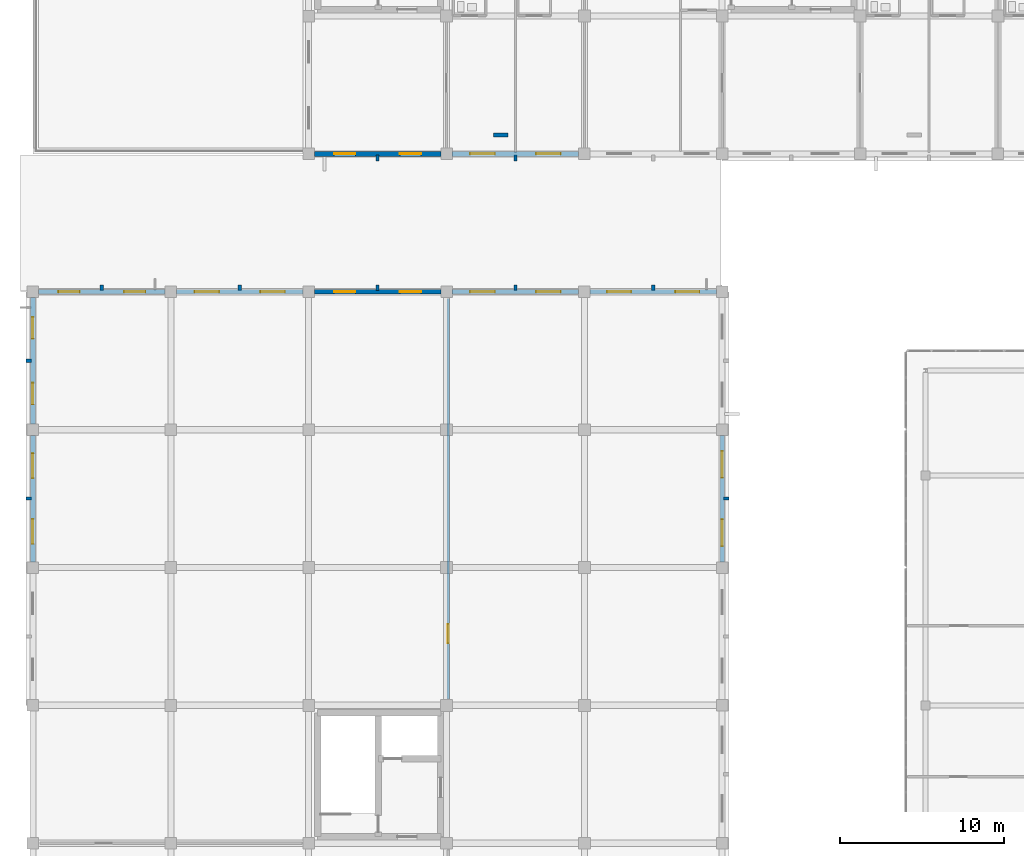
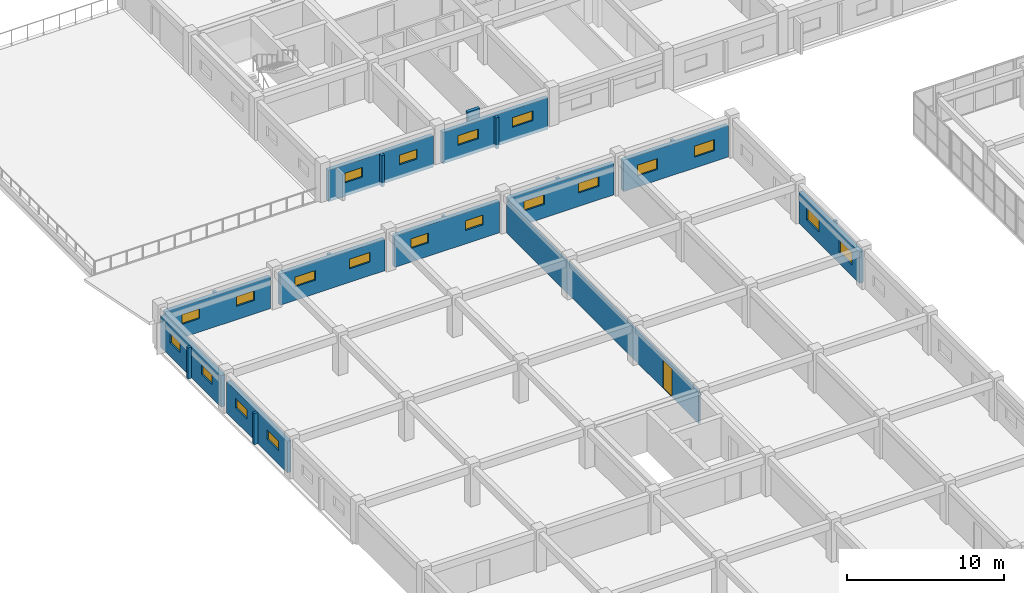
# One storey, part 121 of 148: 22 walls, 20 windows, 1 door, 21 openings.
"""IFC4 building model written with IfcOpenShell, lengths in metres."""

from ifc_helpers import new_model, si_unit, direction, frame, frame_2d, origin, place, context, subcontext, project, spatial, rectangle, extrude, material, layer, layer_set, type_object, element, fill, save


model = new_model("IFC4")

# Units and contexts
model_context = context("Model", 3, precision=1e-05, world=origin(), true_north=direction((0.0, 1.0)))
body_context = subcontext(model_context, "Body", "Model", "MODEL_VIEW")
ifc_project = project(units=[si_unit("LENGTHUNIT", "METRE"), si_unit("AREAUNIT", "SQUARE_METRE"), si_unit("VOLUMEUNIT", "CUBIC_METRE"), si_unit("PLANEANGLEUNIT", "RADIAN"), si_unit("MASSUNIT", "GRAM", prefix="KILO")], contexts=[model_context])

# Site, building, storey
site_placement = place(None, origin())
site = spatial("IfcSite", under=ifc_project, at=site_placement, CompositionType="ELEMENT")
building_placement = place(site_placement, origin())
building = spatial("IfcBuilding", under=site, at=building_placement, Name="Trelvath General Hospital", CompositionType="ELEMENT")
storey_placement = place(building_placement, frame((0.0, 0.0, 12.89990234375)))
storey = spatial("IfcBuildingStorey", under=building, at=storey_placement, Name="L03", CompositionType="ELEMENT", Elevation=12.89990234375)

# Walls
ifc_material_1 = material(Name="Precast concrete C40/50", Category="concrete")
ifc_layer_1 = layer(ifc_material_1, 0.199951171875)
ifc_layer_set_1 = layer_set([ifc_layer_1], Name="Precast concrete C40/50")
wall_type_1 = type_object("IfcWallType", Name="BriseSoleilRib 200", PredefinedType="ELEMENTEDWALL", material=ifc_layer_set_1)
for number, where, z_axis, x_axis, name in (
    (1, (-0.074951171875, 71.39990234375, 0.0), (0.0, 0.0, 1.0), (-1.0, 0.0, 0.0), "Precast Concrete Brise-Soleil Rib Fin L03-229"),
    (2, (4.199951171875, 84.074951171875, 0.0), (0.0, 0.0, 1.0), (0.0, 1.0, 0.0), "Precast Concrete Brise-Soleil Rib Fin L03-230"),
    (3, (-0.074951171875, 79.800048828125, 0.0), (0.0, 0.0, 1.0), (-1.0, 0.0, 0.0), "Precast Concrete Brise-Soleil Rib Fin L03-231"),
    (4, (12.60009765625, 84.074951171875, 0.0), (0.0, 0.0, 1.0), (0.0, 1.0, 0.0), "Precast Concrete Brise-Soleil Rib Fin L03-233"),
    (5, (21.0, 84.074951171875, 0.0), (0.0, 0.0, 1.0), (0.0, 1.0, 0.0), "Precast Concrete Brise-Soleil Rib Fin L03-237"),
):
    element("IfcWall", number, at=place(storey_placement, frame(where, z_axis=z_axis, x_axis=x_axis)), inside=storey, type_object=wall_type_1, Name=name, PredefinedType="ELEMENTEDWALL", context=body_context, shape_type="SweptSolid", body=[
        extrude(rectangle(XDim=0.340087890625, YDim=0.199951171875, at=frame_2d((0.169921875, 0.0))), origin(), (0.0, 0.0, 1.0), 2.420166015625),
    ])
wall_1_placement = place(storey_placement, frame((21.0, 92.324951171875, 0.0), z_axis=(0.0, 0.0, 1.0), x_axis=(0.0, -1.0, 0.0)))
element("IfcWall", 6, at=wall_1_placement, inside=storey, type_object=wall_type_1, Name="Precast Concrete Brise-Soleil Rib Fin L03-238", PredefinedType="ELEMENTEDWALL", context=body_context, shape_type="SweptSolid", body=[
    extrude(rectangle(XDim=0.33984375, YDim=0.199951171875, at=frame_2d((0.169921875, 0.0))), origin(), (0.0, 0.0, 1.0), 2.420166015625),
])
wall_2_placement = place(storey_placement, frame((29.39990234375, 84.074951171875, 0.0), z_axis=(0.0, 0.0, 1.0), x_axis=(0.0, 1.0, 0.0)))
element("IfcWall", 7, at=wall_2_placement, inside=storey, type_object=wall_type_1, Name="Precast Concrete Brise-Soleil Rib Fin L03-243", PredefinedType="ELEMENTEDWALL", context=body_context, shape_type="SweptSolid", body=[
    extrude(rectangle(XDim=0.340087890625, YDim=0.199951171875, at=frame_2d((0.169921875, 0.0))), origin(), (0.0, 0.0, 1.0), 2.420166015625),
])
wall_3_placement = place(storey_placement, frame((29.39990234375, 92.324951171875, 0.0), z_axis=(0.0, 0.0, 1.0), x_axis=(0.0, -1.0, 0.0)))
element("IfcWall", 8, at=wall_3_placement, inside=storey, type_object=wall_type_1, Name="Precast Concrete Brise-Soleil Rib Fin L03-244", PredefinedType="ELEMENTEDWALL", context=body_context, shape_type="SweptSolid", body=[
    extrude(rectangle(XDim=0.33984375, YDim=0.199951171875, at=frame_2d((0.169921875, 0.0))), origin(), (0.0, 0.0, 1.0), 2.420166015625),
])
for number, where, z_axis, x_axis, name in (
    (9, (42.074951171875, 71.39990234375, 0.0), (0.0, 0.0, 1.0), (1.0, 0.0, 0.0), "Precast Concrete Brise-Soleil Rib Fin L03-253"),
    (10, (37.800048828125, 84.074951171875, 0.0), (0.0, 0.0, 1.0), (0.0, 1.0, 0.0), "Precast Concrete Brise-Soleil Rib Fin L03-254"),
):
    element("IfcWall", number, at=place(storey_placement, frame(where, z_axis=z_axis, x_axis=x_axis)), inside=storey, type_object=wall_type_1, Name=name, PredefinedType="ELEMENTEDWALL", context=body_context, shape_type="SweptSolid", body=[
        extrude(rectangle(XDim=0.340087890625, YDim=0.199951171875, at=frame_2d((0.169921875, 0.0))), origin(), (0.0, 0.0, 1.0), 2.420166015625),
    ])

# Wall, opening, door
ifc_material_2 = material(Name="Gypsum acoustic steel-stud partition", Category="steel")
ifc_layer_2 = layer(ifc_material_2, 0.14990234375)
ifc_layer_set_2 = layer_set([ifc_layer_2], Name="Gypsum acoustic steel-stud partition")
wall_type_2 = type_object("IfcWallType", Name="ClinicalPartition 150", PredefinedType="PARTITIONING", material=ifc_layer_set_2)
wall_4_placement = place(storey_placement, frame((25.300048828125, 59.199951171875, 0.0), z_axis=(0.0, 0.0, 1.0), x_axis=(0.0, 1.0, 0.0)))
wall_4 = element("IfcWall", 11, at=wall_4_placement, inside=storey, type_object=wall_type_2, Name="Cleanroom Partition L03-1400", PredefinedType="PARTITIONING", context=body_context, shape_type="SweptSolid", body=[
    extrude(rectangle(XDim=24.400146484375, YDim=0.14990234375, at=frame_2d((12.2001953125, 0.0))), origin(), (0.0, 0.0, 1.0), 2.420166015625),
])
opening_1_placement = place(wall_4_placement, frame((3.39990234375, 0.0, 0.0)))
opening_1 = element("IfcOpeningElement", 12, at=opening_1_placement, cuts=wall_4, Name="Opening D-3-0985", PredefinedType="OPENING", context=body_context, shape_type="SweptSolid", body=[
    extrude(rectangle(XDim=1.14990234375, YDim=2.199951171875, at=frame_2d((0.574951171875, 1.10009765625))), frame((0.0, 0.0849609375, 0.0), z_axis=(0.0, -1.0, 0.0), x_axis=(1.0, 0.0, 0.0)), (0.0, 0.0, 1.0), 0.169921875),
])
ifc_material_3 = material(Name="Phenolic cleanroom door")
door_type = type_object("IfcDoorType", Name="Door Pharmacy 1150x2200", OperationType="NOTDEFINED", PredefinedType="DOOR", material=ifc_material_3)
door_placement = place(opening_1_placement, origin())
door = element("IfcDoor", 13, at=door_placement, inside=storey, type_object=door_type, Name="Cleanroom Door L03-985", OperationType="SINGLE_SWING_LEFT", OverallHeight=2.199951171875, OverallWidth=1.14990234375, PredefinedType="DOOR", context=body_context, shape_type="SweptSolid", body=[
    extrude(rectangle(XDim=1.14990234375, YDim=2.199951171875, at=frame_2d((0.574951171875, 1.10009765625))), frame((0.0, 0.02490234375, 0.0), z_axis=(0.0, -1.0, 0.0), x_axis=(1.0, 0.0, 0.0)), (0.0, 0.0, 1.0), 0.050048828125),
])
fill(opening_1, door)

# Wall, openings, windows
ifc_material_4 = material(Name="Concrete C35/45", Category="concrete")
ifc_layer_3 = layer(ifc_material_4, 0.2900390625)
ifc_layer_set_3 = layer_set([ifc_layer_3], Name="Concrete C35/45")
wall_type_3 = type_object("IfcWallType", Name="ExtBushHammeredWall 290", PredefinedType="SOLIDWALL", material=ifc_layer_set_3)
wall_5_placement = place(storey_placement, frame((0.0, 67.544921875, 0.0), z_axis=(0.0, 0.0, 1.0), x_axis=(0.0, 1.0, 0.0)))
wall_5 = element("IfcWall", 14, at=wall_5_placement, inside=storey, type_object=wall_type_3, Name="Exterior Concrete Wall L03-331", PredefinedType="SOLIDWALL", context=body_context, shape_type="SweptSolid", body=[
    extrude(rectangle(XDim=7.7099609375, YDim=0.2900390625, at=frame_2d((3.85498046875, 0.0))), origin(), (0.0, 0.0, 1.0), 2.440185546875),
])
opening_2_placement = place(wall_5_placement, frame((1.100341796875, 0.0, 1.050048828125)))
opening_2 = element("IfcOpeningElement", 15, at=opening_2_placement, cuts=wall_5, Name="Opening WN-3-535", PredefinedType="OPENING", context=body_context, shape_type="SweptSolid", body=[
    extrude(rectangle(XDim=1.5, YDim=0.75, at=frame_2d((0.75, 0.375))), frame((0.0, 0.155029296875, 0.0), z_axis=(0.0, -1.0, 0.0), x_axis=(1.0, 0.0, 0.0)), (0.0, 0.0, 1.0), 0.31005859375),
])
opening_3_placement = place(wall_5_placement, frame((5.109619140625, 0.0, 1.050048828125)))
opening_3 = element("IfcOpeningElement", 16, at=opening_3_placement, cuts=wall_5, Name="Opening WN-3-536", PredefinedType="OPENING", context=body_context, shape_type="SweptSolid", body=[
    extrude(rectangle(XDim=1.5, YDim=0.75, at=frame_2d((0.75, 0.375))), frame((0.0, 0.155029296875, 0.0), z_axis=(0.0, -1.0, 0.0), x_axis=(1.0, 0.0, 0.0)), (0.0, 0.0, 1.0), 0.31005859375),
])
ifc_material_5 = material(Name="Low-E laminated glass", Category="glass")
window_type_1 = type_object("IfcWindowType", Name="Window InterstitialVent 1500x750", PartitioningType="DOUBLE_PANEL_HORIZONTAL", PredefinedType="WINDOW", material=ifc_material_5)
window_1_placement = place(opening_2_placement, origin())
window_1 = element("IfcWindow", 17, at=window_1_placement, inside=storey, type_object=window_type_1, Name="Solar Reveal Window L03-535", OverallHeight=0.75, OverallWidth=1.5, PartitioningType="SINGLE_PANEL", PredefinedType="WINDOW", context=body_context, shape_type="SweptSolid", body=[
    extrude(rectangle(XDim=1.5, YDim=0.75, at=frame_2d((0.75, 0.375))), frame((0.0, 0.030029296875, 0.0), z_axis=(0.0, -1.0, 0.0), x_axis=(1.0, 0.0, 0.0)), (0.0, 0.0, 1.0), 0.06005859375),
])
fill(opening_2, window_1)
window_2_placement = place(opening_3_placement, origin())
window_2 = element("IfcWindow", 18, at=window_2_placement, inside=storey, type_object=window_type_1, Name="Solar Reveal Window L03-536", OverallHeight=0.75, OverallWidth=1.5, PartitioningType="SINGLE_PANEL", PredefinedType="WINDOW", context=body_context, shape_type="SweptSolid", body=[
    extrude(rectangle(XDim=1.5, YDim=0.75, at=frame_2d((0.75, 0.375))), frame((0.0, 0.030029296875, 0.0), z_axis=(0.0, -1.0, 0.0), x_axis=(1.0, 0.0, 0.0)), (0.0, 0.0, 1.0), 0.06005859375),
])
fill(opening_3, window_2)

wall_6_placement = place(storey_placement, frame((0.344970703125, 84.0, 0.0), z_axis=(0.0, 0.0, 1.0), x_axis=(1.0, 0.0, 0.0)))
wall_6 = element("IfcWall", 19, at=wall_6_placement, inside=storey, type_object=wall_type_3, Name="Exterior Concrete Wall L03-332", PredefinedType="SOLIDWALL", context=body_context, shape_type="SweptSolid", body=[
    extrude(rectangle(XDim=7.7099609375, YDim=0.2900390625, at=frame_2d((3.85498046875, 0.0))), origin(), (0.0, 0.0, 1.0), 2.440185546875),
])
opening_4_placement = place(wall_6_placement, frame((1.200439453125, 0.0, 1.050048828125)))
opening_4 = element("IfcOpeningElement", 20, at=opening_4_placement, cuts=wall_6, Name="Opening WN-3-537", PredefinedType="OPENING", context=body_context, shape_type="SweptSolid", body=[
    extrude(rectangle(XDim=1.300048828125, YDim=0.75, at=frame_2d((0.64990234375, 0.375))), frame((0.0, 0.155029296875, 0.0), z_axis=(0.0, -1.0, 0.0), x_axis=(1.0, 0.0, 0.0)), (0.0, 0.0, 1.0), 0.31005859375),
])
opening_5_placement = place(wall_6_placement, frame((5.209716796875, 0.0, 1.050048828125)))
opening_5 = element("IfcOpeningElement", 21, at=opening_5_placement, cuts=wall_6, Name="Opening WN-3-538", PredefinedType="OPENING", context=body_context, shape_type="SweptSolid", body=[
    extrude(rectangle(XDim=1.300048828125, YDim=0.75, at=frame_2d((0.64990234375, 0.375))), frame((0.0, 0.155029296875, 0.0), z_axis=(0.0, -1.0, 0.0), x_axis=(1.0, 0.0, 0.0)), (0.0, 0.0, 1.0), 0.31005859375),
])
ifc_material_6 = material(Name="Low-E laminated glass", Category="glass")
window_type_2 = type_object("IfcWindowType", Name="Window InterstitialVent 1300x750", PartitioningType="DOUBLE_PANEL_HORIZONTAL", PredefinedType="WINDOW", material=ifc_material_6)
window_3_placement = place(opening_4_placement, origin())
window_3 = element("IfcWindow", 22, at=window_3_placement, inside=storey, type_object=window_type_2, Name="Solar Reveal Window L03-537", OverallHeight=0.75, OverallWidth=1.300048828125, PartitioningType="SINGLE_PANEL", PredefinedType="WINDOW", context=body_context, shape_type="SweptSolid", body=[
    extrude(rectangle(XDim=1.300048828125, YDim=0.75, at=frame_2d((0.64990234375, 0.375))), frame((0.0, 0.030029296875, 0.0), z_axis=(0.0, -1.0, 0.0), x_axis=(1.0, 0.0, 0.0)), (0.0, 0.0, 1.0), 0.06005859375),
])
fill(opening_4, window_3)
window_4_placement = place(opening_5_placement, origin())
window_4 = element("IfcWindow", 23, at=window_4_placement, inside=storey, type_object=window_type_2, Name="Solar Reveal Window L03-538", OverallHeight=0.75, OverallWidth=1.300048828125, PartitioningType="SINGLE_PANEL", PredefinedType="WINDOW", context=body_context, shape_type="SweptSolid", body=[
    extrude(rectangle(XDim=1.300048828125, YDim=0.75, at=frame_2d((0.64990234375, 0.375))), frame((0.0, 0.030029296875, 0.0), z_axis=(0.0, -1.0, 0.0), x_axis=(1.0, 0.0, 0.0)), (0.0, 0.0, 1.0), 0.06005859375),
])
fill(opening_5, window_4)

wall_7_placement = place(storey_placement, frame((0.0, 75.945068359375, 0.0), z_axis=(0.0, 0.0, 1.0), x_axis=(0.0, 1.0, 0.0)))
wall_7 = element("IfcWall", 24, at=wall_7_placement, inside=storey, type_object=wall_type_3, Name="Exterior Concrete Wall L03-333", PredefinedType="SOLIDWALL", context=body_context, shape_type="SweptSolid", body=[
    extrude(rectangle(XDim=7.7099609375, YDim=0.2900390625, at=frame_2d((3.85498046875, 0.0))), origin(), (0.0, 0.0, 1.0), 2.440185546875),
])
opening_6_placement = place(wall_7_placement, frame((1.200439453125, 0.0, 1.050048828125)))
opening_6 = element("IfcOpeningElement", 25, at=opening_6_placement, cuts=wall_7, Name="Opening WN-3-539", PredefinedType="OPENING", context=body_context, shape_type="SweptSolid", body=[
    extrude(rectangle(XDim=1.300048828125, YDim=0.75, at=frame_2d((0.64990234375, 0.375))), frame((0.0, 0.155029296875, 0.0), z_axis=(0.0, -1.0, 0.0), x_axis=(1.0, 0.0, 0.0)), (0.0, 0.0, 1.0), 0.31005859375),
])
opening_7_placement = place(wall_7_placement, frame((5.209716796875, 0.0, 1.050048828125)))
opening_7 = element("IfcOpeningElement", 26, at=opening_7_placement, cuts=wall_7, Name="Opening WN-3-540", PredefinedType="OPENING", context=body_context, shape_type="SweptSolid", body=[
    extrude(rectangle(XDim=1.300048828125, YDim=0.75, at=frame_2d((0.64990234375, 0.375))), frame((0.0, 0.155029296875, 0.0), z_axis=(0.0, -1.0, 0.0), x_axis=(1.0, 0.0, 0.0)), (0.0, 0.0, 1.0), 0.31005859375),
])
window_5_placement = place(opening_6_placement, origin())
window_5 = element("IfcWindow", 27, at=window_5_placement, inside=storey, type_object=window_type_2, Name="Solar Reveal Window L03-539", OverallHeight=0.75, OverallWidth=1.300048828125, PartitioningType="SINGLE_PANEL", PredefinedType="WINDOW", context=body_context, shape_type="SweptSolid", body=[
    extrude(rectangle(XDim=1.300048828125, YDim=0.75, at=frame_2d((0.64990234375, 0.375))), frame((0.0, 0.030029296875, 0.0), z_axis=(0.0, -1.0, 0.0), x_axis=(1.0, 0.0, 0.0)), (0.0, 0.0, 1.0), 0.06005859375),
])
fill(opening_6, window_5)
window_6_placement = place(opening_7_placement, origin())
window_6 = element("IfcWindow", 28, at=window_6_placement, inside=storey, type_object=window_type_2, Name="Solar Reveal Window L03-540", OverallHeight=0.75, OverallWidth=1.300048828125, PartitioningType="SINGLE_PANEL", PredefinedType="WINDOW", context=body_context, shape_type="SweptSolid", body=[
    extrude(rectangle(XDim=1.300048828125, YDim=0.75, at=frame_2d((0.64990234375, 0.375))), frame((0.0, 0.030029296875, 0.0), z_axis=(0.0, -1.0, 0.0), x_axis=(1.0, 0.0, 0.0)), (0.0, 0.0, 1.0), 0.06005859375),
])
fill(opening_7, window_6)

wall_8_placement = place(storey_placement, frame((8.7451171875, 84.0, 0.0), z_axis=(0.0, 0.0, 1.0), x_axis=(1.0, 0.0, 0.0)))
wall_8 = element("IfcWall", 29, at=wall_8_placement, inside=storey, type_object=wall_type_3, Name="Exterior Concrete Wall L03-335", PredefinedType="SOLIDWALL", context=body_context, shape_type="SweptSolid", body=[
    extrude(rectangle(XDim=7.7099609375, YDim=0.2900390625, at=frame_2d((3.85498046875, 0.0))), origin(), (0.0, 0.0, 1.0), 2.440185546875),
])
opening_8_placement = place(wall_8_placement, frame((1.100341796875, 0.0, 1.050048828125)))
opening_8 = element("IfcOpeningElement", 30, at=opening_8_placement, cuts=wall_8, Name="Opening WN-3-543", PredefinedType="OPENING", context=body_context, shape_type="SweptSolid", body=[
    extrude(rectangle(XDim=1.5, YDim=0.75, at=frame_2d((0.75, 0.375))), frame((0.0, 0.155029296875, 0.0), z_axis=(0.0, -1.0, 0.0), x_axis=(1.0, 0.0, 0.0)), (0.0, 0.0, 1.0), 0.31005859375),
])
opening_9_placement = place(wall_8_placement, frame((5.109619140625, 0.0, 1.050048828125)))
opening_9 = element("IfcOpeningElement", 31, at=opening_9_placement, cuts=wall_8, Name="Opening WN-3-544", PredefinedType="OPENING", context=body_context, shape_type="SweptSolid", body=[
    extrude(rectangle(XDim=1.5, YDim=0.75, at=frame_2d((0.75, 0.375))), frame((0.0, 0.155029296875, 0.0), z_axis=(0.0, -1.0, 0.0), x_axis=(1.0, 0.0, 0.0)), (0.0, 0.0, 1.0), 0.31005859375),
])
window_7_placement = place(opening_8_placement, origin())
window_7 = element("IfcWindow", 32, at=window_7_placement, inside=storey, type_object=window_type_1, Name="Solar Reveal Window L03-543", OverallHeight=0.75, OverallWidth=1.5, PartitioningType="SINGLE_PANEL", PredefinedType="WINDOW", context=body_context, shape_type="SweptSolid", body=[
    extrude(rectangle(XDim=1.5, YDim=0.75, at=frame_2d((0.75, 0.375))), frame((0.0, 0.030029296875, 0.0), z_axis=(0.0, -1.0, 0.0), x_axis=(1.0, 0.0, 0.0)), (0.0, 0.0, 1.0), 0.06005859375),
])
fill(opening_8, window_7)
window_8_placement = place(opening_9_placement, origin())
window_8 = element("IfcWindow", 33, at=window_8_placement, inside=storey, type_object=window_type_1, Name="Solar Reveal Window L03-544", OverallHeight=0.75, OverallWidth=1.5, PartitioningType="SINGLE_PANEL", PredefinedType="WINDOW", context=body_context, shape_type="SweptSolid", body=[
    extrude(rectangle(XDim=1.5, YDim=0.75, at=frame_2d((0.75, 0.375))), frame((0.0, 0.030029296875, 0.0), z_axis=(0.0, -1.0, 0.0), x_axis=(1.0, 0.0, 0.0)), (0.0, 0.0, 1.0), 0.06005859375),
])
fill(opening_9, window_8)

wall_9_placement = place(storey_placement, frame((17.14501953125, 84.0, 0.0), z_axis=(0.0, 0.0, 1.0), x_axis=(1.0, 0.0, 0.0)))
wall_9 = element("IfcWall", 34, at=wall_9_placement, inside=storey, type_object=wall_type_3, Name="Exterior Concrete Wall L03-342", PredefinedType="SOLIDWALL", context=body_context, shape_type="SweptSolid", body=[
    extrude(rectangle(XDim=7.7099609375, YDim=0.2900390625, at=frame_2d((3.85498046875, 0.0))), origin(), (0.0, 0.0, 1.0), 2.440185546875),
])
opening_10_placement = place(wall_9_placement, frame((1.200439453125, 0.0, 1.050048828125)))
opening_10 = element("IfcOpeningElement", 35, at=opening_10_placement, cuts=wall_9, Name="Opening WN-3-555", PredefinedType="OPENING", context=body_context, shape_type="SweptSolid", body=[
    extrude(rectangle(XDim=1.300048828125, YDim=0.75, at=frame_2d((0.64990234375, 0.375))), frame((0.0, 0.155029296875, 0.0), z_axis=(0.0, -1.0, 0.0), x_axis=(1.0, 0.0, 0.0)), (0.0, 0.0, 1.0), 0.31005859375),
])
opening_11_placement = place(wall_9_placement, frame((5.209716796875, 0.0, 1.050048828125)))
opening_11 = element("IfcOpeningElement", 36, at=opening_11_placement, cuts=wall_9, Name="Opening WN-3-556", PredefinedType="OPENING", context=body_context, shape_type="SweptSolid", body=[
    extrude(rectangle(XDim=1.300048828125, YDim=0.75, at=frame_2d((0.64990234375, 0.375))), frame((0.0, 0.155029296875, 0.0), z_axis=(0.0, -1.0, 0.0), x_axis=(1.0, 0.0, 0.0)), (0.0, 0.0, 1.0), 0.31005859375),
])
window_9_placement = place(opening_10_placement, origin())
window_9 = element("IfcWindow", 37, at=window_9_placement, inside=storey, type_object=window_type_2, Name="Solar Reveal Window L03-555", OverallHeight=0.75, OverallWidth=1.300048828125, PartitioningType="SINGLE_PANEL", PredefinedType="WINDOW", context=body_context, shape_type="SweptSolid", body=[
    extrude(rectangle(XDim=1.300048828125, YDim=0.75, at=frame_2d((0.64990234375, 0.375))), frame((0.0, 0.030029296875, 0.0), z_axis=(0.0, -1.0, 0.0), x_axis=(1.0, 0.0, 0.0)), (0.0, 0.0, 1.0), 0.06005859375),
])
fill(opening_10, window_9)
window_10_placement = place(opening_11_placement, origin())
window_10 = element("IfcWindow", 38, at=window_10_placement, inside=storey, type_object=window_type_2, Name="Solar Reveal Window L03-556", OverallHeight=0.75, OverallWidth=1.300048828125, PartitioningType="SINGLE_PANEL", PredefinedType="WINDOW", context=body_context, shape_type="SweptSolid", body=[
    extrude(rectangle(XDim=1.300048828125, YDim=0.75, at=frame_2d((0.64990234375, 0.375))), frame((0.0, 0.030029296875, 0.0), z_axis=(0.0, -1.0, 0.0), x_axis=(1.0, 0.0, 0.0)), (0.0, 0.0, 1.0), 0.06005859375),
])
fill(opening_11, window_10)

wall_10_placement = place(storey_placement, frame((24.85498046875, 92.39990234375, 0.0), z_axis=(0.0, 0.0, 1.0), x_axis=(-1.0, 0.0, 0.0)))
wall_10 = element("IfcWall", 39, at=wall_10_placement, inside=storey, type_object=wall_type_3, Name="Exterior Concrete Wall L03-343", PredefinedType="SOLIDWALL", context=body_context, shape_type="SweptSolid", body=[
    extrude(rectangle(XDim=7.7099609375, YDim=0.2900390625, at=frame_2d((3.85498046875, 0.0))), origin(), (0.0, 0.0, 1.0), 2.440185546875),
])
opening_12_placement = place(wall_10_placement, frame((1.200439453125, 0.0, 1.050048828125)))
opening_12 = element("IfcOpeningElement", 40, at=opening_12_placement, cuts=wall_10, Name="Opening WN-3-557", PredefinedType="OPENING", context=body_context, shape_type="SweptSolid", body=[
    extrude(rectangle(XDim=1.300048828125, YDim=0.75, at=frame_2d((0.64990234375, 0.375))), frame((0.0, 0.155029296875, 0.0), z_axis=(0.0, -1.0, 0.0), x_axis=(1.0, 0.0, 0.0)), (0.0, 0.0, 1.0), 0.31005859375),
])
opening_13_placement = place(wall_10_placement, frame((5.209716796875, 0.0, 1.050048828125)))
opening_13 = element("IfcOpeningElement", 41, at=opening_13_placement, cuts=wall_10, Name="Opening WN-3-558", PredefinedType="OPENING", context=body_context, shape_type="SweptSolid", body=[
    extrude(rectangle(XDim=1.300048828125, YDim=0.75, at=frame_2d((0.64990234375, 0.375))), frame((0.0, 0.155029296875, 0.0), z_axis=(0.0, -1.0, 0.0), x_axis=(1.0, 0.0, 0.0)), (0.0, 0.0, 1.0), 0.31005859375),
])
window_11_placement = place(opening_12_placement, origin())
window_11 = element("IfcWindow", 42, at=window_11_placement, inside=storey, type_object=window_type_2, Name="Solar Reveal Window L03-557", OverallHeight=0.75, OverallWidth=1.300048828125, PartitioningType="SINGLE_PANEL", PredefinedType="WINDOW", context=body_context, shape_type="SweptSolid", body=[
    extrude(rectangle(XDim=1.300048828125, YDim=0.75, at=frame_2d((0.64990234375, 0.375))), frame((0.0, 0.030029296875, 0.0), z_axis=(0.0, -1.0, 0.0), x_axis=(1.0, 0.0, 0.0)), (0.0, 0.0, 1.0), 0.06005859375),
])
fill(opening_12, window_11)
window_12_placement = place(opening_13_placement, origin())
window_12 = element("IfcWindow", 43, at=window_12_placement, inside=storey, type_object=window_type_2, Name="Solar Reveal Window L03-558", OverallHeight=0.75, OverallWidth=1.300048828125, PartitioningType="SINGLE_PANEL", PredefinedType="WINDOW", context=body_context, shape_type="SweptSolid", body=[
    extrude(rectangle(XDim=1.300048828125, YDim=0.75, at=frame_2d((0.64990234375, 0.375))), frame((0.0, 0.030029296875, 0.0), z_axis=(0.0, -1.0, 0.0), x_axis=(1.0, 0.0, 0.0)), (0.0, 0.0, 1.0), 0.06005859375),
])
fill(opening_13, window_12)

wall_11_placement = place(storey_placement, frame((25.544921875, 84.0, 0.0), z_axis=(0.0, 0.0, 1.0), x_axis=(1.0, 0.0, 0.0)))
wall_11 = element("IfcWall", 44, at=wall_11_placement, inside=storey, type_object=wall_type_3, Name="Exterior Concrete Wall L03-351", PredefinedType="SOLIDWALL", context=body_context, shape_type="SweptSolid", body=[
    extrude(rectangle(XDim=7.7099609375, YDim=0.2900390625, at=frame_2d((3.85498046875, 0.0))), origin(), (0.0, 0.0, 1.0), 2.440185546875),
])
opening_14_placement = place(wall_11_placement, frame((1.100341796875, 0.0, 1.050048828125)))
opening_14 = element("IfcOpeningElement", 45, at=opening_14_placement, cuts=wall_11, Name="Opening WN-3-571", PredefinedType="OPENING", context=body_context, shape_type="SweptSolid", body=[
    extrude(rectangle(XDim=1.5, YDim=0.75, at=frame_2d((0.75, 0.375))), frame((0.0, 0.155029296875, 0.0), z_axis=(0.0, -1.0, 0.0), x_axis=(1.0, 0.0, 0.0)), (0.0, 0.0, 1.0), 0.31005859375),
])
opening_15_placement = place(wall_11_placement, frame((5.109619140625, 0.0, 1.050048828125)))
opening_15 = element("IfcOpeningElement", 46, at=opening_15_placement, cuts=wall_11, Name="Opening WN-3-572", PredefinedType="OPENING", context=body_context, shape_type="SweptSolid", body=[
    extrude(rectangle(XDim=1.5, YDim=0.75, at=frame_2d((0.75, 0.375))), frame((0.0, 0.155029296875, 0.0), z_axis=(0.0, -1.0, 0.0), x_axis=(1.0, 0.0, 0.0)), (0.0, 0.0, 1.0), 0.31005859375),
])
window_13_placement = place(opening_14_placement, origin())
window_13 = element("IfcWindow", 47, at=window_13_placement, inside=storey, type_object=window_type_1, Name="Solar Reveal Window L03-571", OverallHeight=0.75, OverallWidth=1.5, PartitioningType="SINGLE_PANEL", PredefinedType="WINDOW", context=body_context, shape_type="SweptSolid", body=[
    extrude(rectangle(XDim=1.5, YDim=0.75, at=frame_2d((0.75, 0.375))), frame((0.0, 0.030029296875, 0.0), z_axis=(0.0, -1.0, 0.0), x_axis=(1.0, 0.0, 0.0)), (0.0, 0.0, 1.0), 0.06005859375),
])
fill(opening_14, window_13)
window_14_placement = place(opening_15_placement, origin())
window_14 = element("IfcWindow", 48, at=window_14_placement, inside=storey, type_object=window_type_1, Name="Solar Reveal Window L03-572", OverallHeight=0.75, OverallWidth=1.5, PartitioningType="SINGLE_PANEL", PredefinedType="WINDOW", context=body_context, shape_type="SweptSolid", body=[
    extrude(rectangle(XDim=1.5, YDim=0.75, at=frame_2d((0.75, 0.375))), frame((0.0, 0.030029296875, 0.0), z_axis=(0.0, -1.0, 0.0), x_axis=(1.0, 0.0, 0.0)), (0.0, 0.0, 1.0), 0.06005859375),
])
fill(opening_15, window_14)

wall_12_placement = place(storey_placement, frame((33.2548828125, 92.39990234375, 0.0), z_axis=(0.0, 0.0, 1.0), x_axis=(-1.0, 0.0, 0.0)))
wall_12 = element("IfcWall", 49, at=wall_12_placement, inside=storey, type_object=wall_type_3, Name="Exterior Concrete Wall L03-352", PredefinedType="SOLIDWALL", context=body_context, shape_type="SweptSolid", body=[
    extrude(rectangle(XDim=7.7099609375, YDim=0.2900390625, at=frame_2d((3.85498046875, 0.0))), origin(), (0.0, 0.0, 1.0), 2.440185546875),
])
opening_16_placement = place(wall_12_placement, frame((1.100341796875, 0.0, 1.050048828125)))
opening_16 = element("IfcOpeningElement", 50, at=opening_16_placement, cuts=wall_12, Name="Opening WN-3-573", PredefinedType="OPENING", context=body_context, shape_type="SweptSolid", body=[
    extrude(rectangle(XDim=1.5, YDim=0.75, at=frame_2d((0.75, 0.375))), frame((0.0, 0.155029296875, 0.0), z_axis=(0.0, -1.0, 0.0), x_axis=(1.0, 0.0, 0.0)), (0.0, 0.0, 1.0), 0.31005859375),
])
opening_17_placement = place(wall_12_placement, frame((5.109619140625, 0.0, 1.050048828125)))
opening_17 = element("IfcOpeningElement", 51, at=opening_17_placement, cuts=wall_12, Name="Opening WN-3-574", PredefinedType="OPENING", context=body_context, shape_type="SweptSolid", body=[
    extrude(rectangle(XDim=1.5, YDim=0.75, at=frame_2d((0.75, 0.375))), frame((0.0, 0.155029296875, 0.0), z_axis=(0.0, -1.0, 0.0), x_axis=(1.0, 0.0, 0.0)), (0.0, 0.0, 1.0), 0.31005859375),
])
window_15_placement = place(opening_16_placement, origin())
window_15 = element("IfcWindow", 52, at=window_15_placement, inside=storey, type_object=window_type_1, Name="Solar Reveal Window L03-573", OverallHeight=0.75, OverallWidth=1.5, PartitioningType="SINGLE_PANEL", PredefinedType="WINDOW", context=body_context, shape_type="SweptSolid", body=[
    extrude(rectangle(XDim=1.5, YDim=0.75, at=frame_2d((0.75, 0.375))), frame((0.0, 0.030029296875, 0.0), z_axis=(0.0, -1.0, 0.0), x_axis=(1.0, 0.0, 0.0)), (0.0, 0.0, 1.0), 0.06005859375),
])
fill(opening_16, window_15)
window_16_placement = place(opening_17_placement, origin())
window_16 = element("IfcWindow", 53, at=window_16_placement, inside=storey, type_object=window_type_1, Name="Solar Reveal Window L03-574", OverallHeight=0.75, OverallWidth=1.5, PartitioningType="SINGLE_PANEL", PredefinedType="WINDOW", context=body_context, shape_type="SweptSolid", body=[
    extrude(rectangle(XDim=1.5, YDim=0.75, at=frame_2d((0.75, 0.375))), frame((0.0, 0.030029296875, 0.0), z_axis=(0.0, -1.0, 0.0), x_axis=(1.0, 0.0, 0.0)), (0.0, 0.0, 1.0), 0.06005859375),
])
fill(opening_17, window_16)

wall_13_placement = place(storey_placement, frame((42.0, 75.2548828125, 0.0), z_axis=(0.0, 0.0, 1.0), x_axis=(0.0, -1.0, 0.0)))
wall_13 = element("IfcWall", 54, at=wall_13_placement, inside=storey, type_object=wall_type_3, Name="Exterior Concrete Wall L03-361", PredefinedType="SOLIDWALL", context=body_context, shape_type="SweptSolid", body=[
    extrude(rectangle(XDim=7.7099609375, YDim=0.2900390625, at=frame_2d((3.85498046875, 0.0))), origin(), (0.0, 0.0, 1.0), 2.440185546875),
])
opening_18_placement = place(wall_13_placement, frame((0.96337890625, 0.0, 0.85009765625)))
opening_18 = element("IfcOpeningElement", 55, at=opening_18_placement, cuts=wall_13, Name="Opening WN-3-591", PredefinedType="OPENING", context=body_context, shape_type="SweptSolid", body=[
    extrude(rectangle(XDim=1.6201171875, YDim=0.949951171875, at=frame_2d((0.81005859375, 0.47509765625))), frame((0.0, 0.155029296875, 0.0), z_axis=(0.0, -1.0, 0.0), x_axis=(1.0, 0.0, 0.0)), (0.0, 0.0, 1.0), 0.31005859375),
])
opening_19_placement = place(wall_13_placement, frame((5.126708984375, 0.0, 0.85009765625)))
opening_19 = element("IfcOpeningElement", 56, at=opening_19_placement, cuts=wall_13, Name="Opening WN-3-592", PredefinedType="OPENING", context=body_context, shape_type="SweptSolid", body=[
    extrude(rectangle(XDim=1.6201171875, YDim=0.949951171875, at=frame_2d((0.81005859375, 0.47509765625))), frame((0.0, 0.155029296875, 0.0), z_axis=(0.0, -1.0, 0.0), x_axis=(1.0, 0.0, 0.0)), (0.0, 0.0, 1.0), 0.31005859375),
])
ifc_material_7 = material(Name="Low-E laminated glass", Category="glass")
window_type_3 = type_object("IfcWindowType", Name="Window EmergencyClere 1620x950", PartitioningType="DOUBLE_PANEL_VERTICAL", PredefinedType="WINDOW", material=ifc_material_7)
window_17_placement = place(opening_18_placement, origin())
window_17 = element("IfcWindow", 57, at=window_17_placement, inside=storey, type_object=window_type_3, Name="Solar Reveal Window L03-591", OverallHeight=0.949951171875, OverallWidth=1.6201171875, PartitioningType="SINGLE_PANEL", PredefinedType="WINDOW", context=body_context, shape_type="SweptSolid", body=[
    extrude(rectangle(XDim=1.6201171875, YDim=0.949951171875, at=frame_2d((0.81005859375, 0.47509765625))), frame((0.0, 0.030029296875, 0.0), z_axis=(0.0, -1.0, 0.0), x_axis=(1.0, 0.0, 0.0)), (0.0, 0.0, 1.0), 0.06005859375),
])
fill(opening_18, window_17)
window_18_placement = place(opening_19_placement, origin())
window_18 = element("IfcWindow", 58, at=window_18_placement, inside=storey, type_object=window_type_3, Name="Solar Reveal Window L03-592", OverallHeight=0.949951171875, OverallWidth=1.6201171875, PartitioningType="SINGLE_PANEL", PredefinedType="WINDOW", context=body_context, shape_type="SweptSolid", body=[
    extrude(rectangle(XDim=1.6201171875, YDim=0.949951171875, at=frame_2d((0.81005859375, 0.47509765625))), frame((0.0, 0.030029296875, 0.0), z_axis=(0.0, -1.0, 0.0), x_axis=(1.0, 0.0, 0.0)), (0.0, 0.0, 1.0), 0.06005859375),
])
fill(opening_19, window_18)

wall_14_placement = place(storey_placement, frame((33.945068359375, 84.0, 0.0), z_axis=(0.0, 0.0, 1.0), x_axis=(1.0, 0.0, 0.0)))
wall_14 = element("IfcWall", 59, at=wall_14_placement, inside=storey, type_object=wall_type_3, Name="Exterior Concrete Wall L03-362", PredefinedType="SOLIDWALL", context=body_context, shape_type="SweptSolid", body=[
    extrude(rectangle(XDim=7.7099609375, YDim=0.2900390625, at=frame_2d((3.85498046875, 0.0))), origin(), (0.0, 0.0, 1.0), 2.440185546875),
])
opening_20_placement = place(wall_14_placement, frame((1.043212890625, 0.0, 0.85009765625)))
opening_20 = element("IfcOpeningElement", 60, at=opening_20_placement, cuts=wall_14, Name="Opening WN-3-593", PredefinedType="OPENING", context=body_context, shape_type="SweptSolid", body=[
    extrude(rectangle(XDim=1.4599609375, YDim=0.85009765625, at=frame_2d((0.72998046875, 0.425048828125))), frame((0.0, 0.155029296875, 0.0), z_axis=(0.0, -1.0, 0.0), x_axis=(1.0, 0.0, 0.0)), (0.0, 0.0, 1.0), 0.31005859375),
])
opening_21_placement = place(wall_14_placement, frame((5.206787109375, 0.0, 0.85009765625)))
opening_21 = element("IfcOpeningElement", 61, at=opening_21_placement, cuts=wall_14, Name="Opening WN-3-594", PredefinedType="OPENING", context=body_context, shape_type="SweptSolid", body=[
    extrude(rectangle(XDim=1.4599609375, YDim=0.85009765625, at=frame_2d((0.72998046875, 0.425048828125))), frame((0.0, 0.155029296875, 0.0), z_axis=(0.0, -1.0, 0.0), x_axis=(1.0, 0.0, 0.0)), (0.0, 0.0, 1.0), 0.31005859375),
])
ifc_material_8 = material(Name="Low-E laminated glass", Category="glass")
window_type_4 = type_object("IfcWindowType", Name="Window ImagingClere 1460x850", PartitioningType="DOUBLE_PANEL_VERTICAL", PredefinedType="WINDOW", material=ifc_material_8)
window_19_placement = place(opening_20_placement, origin())
window_19 = element("IfcWindow", 62, at=window_19_placement, inside=storey, type_object=window_type_4, Name="Solar Reveal Window L03-593", OverallHeight=0.85009765625, OverallWidth=1.4599609375, PartitioningType="SINGLE_PANEL", PredefinedType="WINDOW", context=body_context, shape_type="SweptSolid", body=[
    extrude(rectangle(XDim=1.4599609375, YDim=0.85009765625, at=frame_2d((0.72998046875, 0.425048828125))), frame((0.0, 0.030029296875, 0.0), z_axis=(0.0, -1.0, 0.0), x_axis=(1.0, 0.0, 0.0)), (0.0, 0.0, 1.0), 0.06005859375),
])
fill(opening_20, window_19)
window_20_placement = place(opening_21_placement, origin())
window_20 = element("IfcWindow", 63, at=window_20_placement, inside=storey, type_object=window_type_4, Name="Solar Reveal Window L03-594", OverallHeight=0.85009765625, OverallWidth=1.4599609375, PartitioningType="SINGLE_PANEL", PredefinedType="WINDOW", context=body_context, shape_type="SweptSolid", body=[
    extrude(rectangle(XDim=1.4599609375, YDim=0.85009765625, at=frame_2d((0.72998046875, 0.425048828125))), frame((0.0, 0.030029296875, 0.0), z_axis=(0.0, -1.0, 0.0), x_axis=(1.0, 0.0, 0.0)), (0.0, 0.0, 1.0), 0.06005859375),
])
fill(opening_21, window_20)

# Wall
ifc_material_9 = material(Name="Masonry service chase blockwork", Category="masonry")
ifc_layer_4 = layer(ifc_material_9, 0.239990234375)
ifc_layer_set_4 = layer_set([ifc_layer_4], Name="Masonry service chase blockwork")
wall_type_4 = type_object("IfcWallType", Name="PlumbingChaseWall 240", PredefinedType="PLUMBINGWALL", material=ifc_layer_set_4)
wall_15_placement = place(storey_placement, frame((28.050048828125, 93.550048828125, 0.0), z_axis=(0.0, 0.0, 1.0), x_axis=(1.0, 0.0, 0.0)))
element("IfcWall", 64, at=wall_15_placement, inside=storey, type_object=wall_type_4, Name="Medical Gas Plumbing Chase L03-1239", PredefinedType="PLUMBINGWALL", context=body_context, shape_type="SweptSolid", body=[
    extrude(rectangle(XDim=0.89990234375, YDim=0.239990234375, at=frame_2d((0.449951171875, 0.0))), origin(), (0.0, 0.0, 1.0), 2.420166015625),
])

save(model, "model.ifc")
